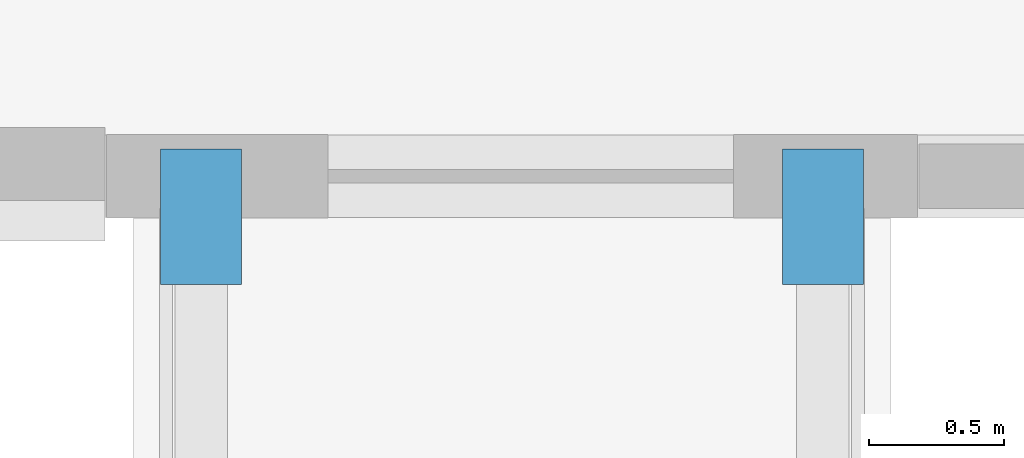
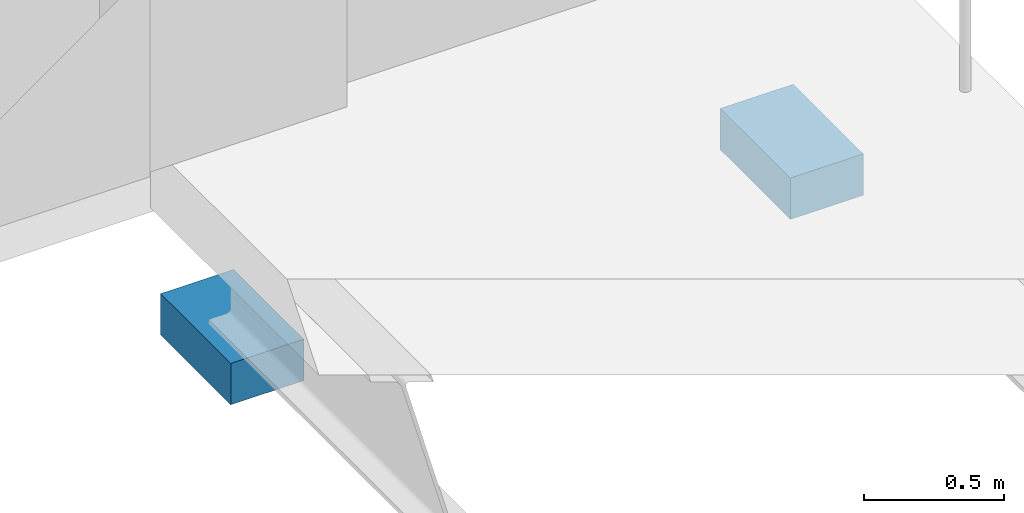
# One storey, part 65 of 83: 2 discrete accessories.
"""IFC4 building model written with IfcOpenShell, lengths in metres."""

from ifc_helpers import new_model, si_unit, direction, frame, origin, origin_2d, place, context, subcontext, project, spatial, rectangle, extrude, material, type_object, element, save


model = new_model("IFC4")

# Units and contexts
model_context = context("Model", 3, precision=1e-05, world=origin(), true_north=direction((0.0, 1.0)))
body_context = subcontext(model_context, "Body", "Model", "MODEL_VIEW")
ifc_project = project(units=[si_unit("LENGTHUNIT", "METRE"), si_unit("AREAUNIT", "SQUARE_METRE"), si_unit("VOLUMEUNIT", "CUBIC_METRE"), si_unit("PLANEANGLEUNIT", "RADIAN"), si_unit("MASSUNIT", "GRAM", prefix="KILO")], contexts=[model_context])

# Site, building, storey
site_placement = place(None, origin())
site = spatial("IfcSite", under=ifc_project, at=site_placement, CompositionType="ELEMENT")
building_placement = place(site_placement, origin())
building = spatial("IfcBuilding", under=site, at=building_placement, Name="Mavantir Sound Aquarium", CompositionType="ELEMENT")
storey_placement = place(building_placement, frame((0.0, 0.0, 10.5)))
storey = spatial("IfcBuildingStorey", under=building, at=storey_placement, Name="L02", CompositionType="ELEMENT", Elevation=10.5)

# Discrete accessories
ifc_material = material(Name="PTFE Elastomeric Slide Bearing")
discrete_accessory_type = type_object("IfcDiscreteAccessoryType", Name="ACC-PTFE-SHOE", PredefinedType="SHOE", material=ifc_material)
for number, where, z_axis, x_axis, name in (
    (1, (6.050048828125, 83.449951171875, -0.92919921875), (0.0, 0.0, 1.0), (1.0, 0.0, 0.0), "Unguided PTFE slide bearing 5.1"),
    (2, (8.35009765625, 83.449951171875, -0.92919921875), (0.0, 0.0, 1.0), (1.0, 0.0, 0.0), "Unguided PTFE slide bearing 5.2"),
):
    element("IfcDiscreteAccessory", number, at=place(storey_placement, frame(where, z_axis=z_axis, x_axis=x_axis)), inside=storey, type_object=discrete_accessory_type, Name=name, PredefinedType="SHOE", context=body_context, shape_type="SweptSolid", body=[
        extrude(rectangle(XDim=0.300048828125, YDim=0.5, at=origin_2d()), origin(), (0.0, 0.0, 1.0), 0.179931640625),
    ])

save(model, "model.ifc")
